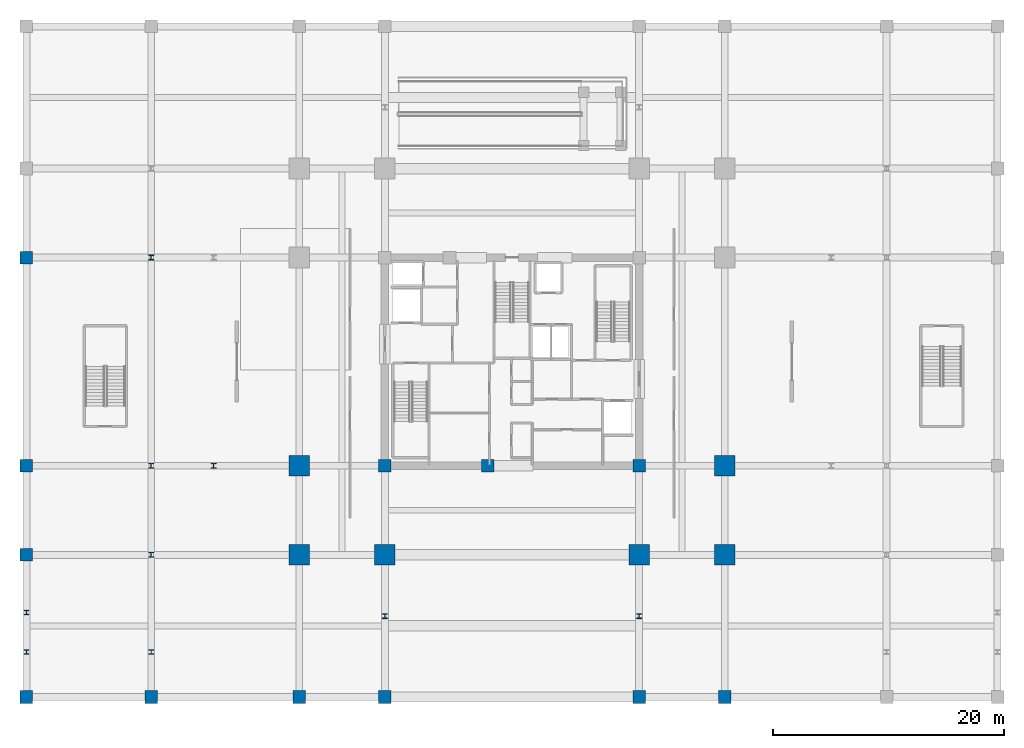
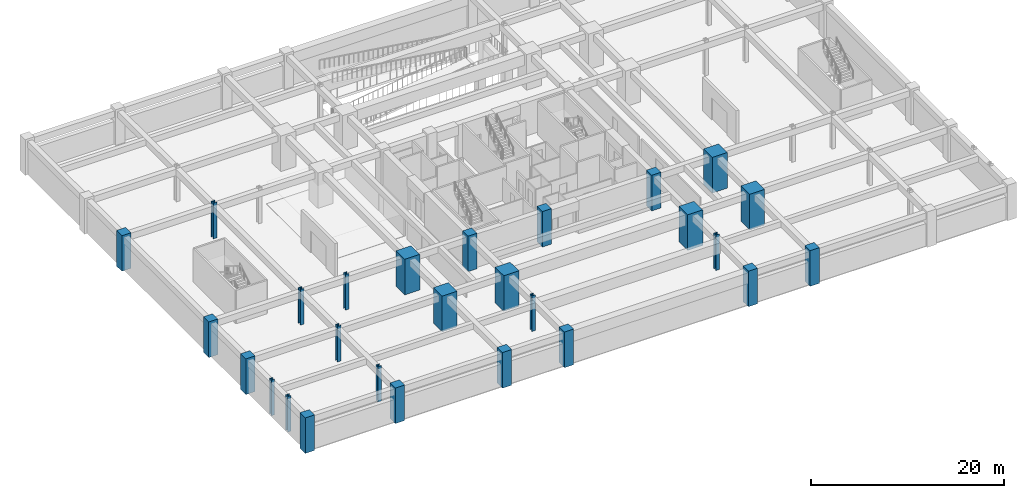
# One storey, part 1 of 16: 27 columns.
"""IFC4 building model written with IfcOpenShell, lengths in metres."""

import ifcopenshell
import ifcopenshell.guid

model = None  # the IFC model being written
_history = None  # IfcOwnerHistory: only IFC2X3 demands one
_inside = {}  # id of a spatial element -> (the spatial element, [elements in it])
_under = {}  # id of a project, library or spatial element -> (it, [spatial elements below it])
_declared = {}  # id of a project -> (the project, [libraries it declares])
_typed = {}  # id of a type object -> (the type object, [elements of that type])
_made_of = {}  # id of a material, layer set ... -> (it, [elements and type objects made of it])


def new_model(schema):
    """Start an empty IFC model of exactly this schema.

    Asked for "IFC4X3", IfcOpenShell would pick the latest addendum, in which some entities
    have other attributes; the version numbers below select the first issue.
    IFC2X3 requires an IfcOwnerHistory on every rooted entity: one is made here for all.
    """
    global model, _history
    if schema == "IFC4X3":
        model = ifcopenshell.file(schema_version=(4, 3, 0, 0))
    else:
        model = ifcopenshell.file(schema=schema)
    _inside.clear()
    _under.clear()
    _declared.clear()
    _typed.clear()
    _made_of.clear()
    _history = None
    if model.schema == "IFC2X3":
        org = make("IfcOrganization", Name="unknown")
        user = make(
            "IfcPersonAndOrganization",
            ThePerson=make("IfcPerson", FamilyName="unknown"),
            TheOrganization=org,
        )
        app = make(
            "IfcApplication",
            ApplicationDeveloper=org,
            Version="unknown",
            ApplicationFullName="unknown",
            ApplicationIdentifier="unknown",
        )
        _history = make(
            "IfcOwnerHistory",
            OwningUser=user,
            OwningApplication=app,
            ChangeAction="ADDED",
            CreationDate=0,
        )
    return model


def make(cls, **values):
    """One entity of the class cls with the attributes given. An attribute that is None is left unset."""
    return model.create_entity(
        cls, **{name: value for name, value in values.items() if value is not None}
    )


def rooted(cls, **values):
    """An entity with a GlobalId (a new one), such as an element, a storey or a relation."""
    return make(cls, GlobalId=ifcopenshell.guid.new(), OwnerHistory=_history, **values)


def si_unit(unit_type, name, prefix=None):
    """IfcSIUnit, for example si_unit("LENGTHUNIT", "METRE", prefix="MILLI")."""
    return make("IfcSIUnit", UnitType=unit_type, Prefix=prefix, Name=name)


def assignment(units):
    """IfcUnitAssignment: the units of a project."""
    return None if units is None else make("IfcUnitAssignment", Units=units)


def point(xyz):
    """IfcCartesianPoint."""
    return None if xyz is None else make("IfcCartesianPoint", Coordinates=xyz)


def direction(xyz):
    """IfcDirection."""
    return None if xyz is None else make("IfcDirection", DirectionRatios=xyz)


def frame(location, z_axis=None, x_axis=None):
    """IfcAxis2Placement3D, a coordinate frame: its origin and axes. An axis left out is left unset."""
    return make(
        "IfcAxis2Placement3D",
        Location=point(location),
        Axis=direction(z_axis),
        RefDirection=direction(x_axis),
    )


def frame_2d(location, x_axis=None):
    """IfcAxis2Placement2D, a coordinate frame in the plane: its origin and x axis."""
    return make(
        "IfcAxis2Placement2D", Location=point(location), RefDirection=direction(x_axis)
    )


def origin():
    """The frame at (0, 0, 0) with its axes left unset."""
    return frame((0.0, 0.0, 0.0))


def origin_2d():
    """The frame at (0, 0) in the plane with its x axis left unset."""
    return frame_2d((0.0, 0.0))


def place(relative_to, where):
    """IfcLocalPlacement: puts the frame where relative to a parent placement (None: the world)."""
    return make(
        "IfcLocalPlacement", PlacementRelTo=relative_to, RelativePlacement=where
    )


def context(
    kind, dimensions, precision=None, world=None, true_north=None, identifier=None
):
    """IfcGeometricRepresentationContext, for example the 3D "Model" context."""
    return make(
        "IfcGeometricRepresentationContext",
        ContextIdentifier=identifier,
        ContextType=kind,
        CoordinateSpaceDimension=dimensions,
        Precision=precision,
        WorldCoordinateSystem=world,
        TrueNorth=true_north,
    )


def subcontext(parent, identifier, kind, view, scale=None):
    """IfcGeometricRepresentationSubContext, for example "Body" below "Model"."""
    return make(
        "IfcGeometricRepresentationSubContext",
        ContextIdentifier=identifier,
        ContextType=kind,
        ParentContext=parent,
        TargetScale=scale,
        TargetView=view,
    )


def project(units=None, contexts=None):
    """IfcProject with its units and contexts."""
    return rooted(
        "IfcProject",
        Name="project",
        RepresentationContexts=contexts,
        UnitsInContext=assignment(units),
    )


def spatial(cls, under=None, at=None, **own):
    """A site, building, storey or space (cls), placed at a placement, below another one or the project."""
    s = rooted(cls, ObjectPlacement=at, **own)
    if under is not None:
        _under.setdefault(under.id(), (under, []))[1].append(s)
    return s


def profile(cls, at=None, kind="AREA", **sizes):
    """A parametric profile (cls). Its sizes go by their IFC names, for example OverallWidth=200.0."""
    return make(cls, ProfileType=kind, Position=at, **sizes)


def rectangle(**sizes):
    """IfcRectangleProfileDef."""
    return profile("IfcRectangleProfileDef", **sizes)


def i_section(**sizes):
    """IfcIShapeProfileDef."""
    return profile("IfcIShapeProfileDef", **sizes)


def extrude(swept, where, along, depth):
    """IfcExtrudedAreaSolid: the profile swept, set in the frame where, extruded along a direction by depth."""
    return make(
        "IfcExtrudedAreaSolid",
        SweptArea=swept,
        Position=where,
        ExtrudedDirection=direction(along),
        Depth=depth,
    )


def shape(context_of_items, identifier, shape_type, items):
    """IfcShapeRepresentation: the items that make up one representation, for example the "Body"."""
    return make(
        "IfcShapeRepresentation",
        ContextOfItems=context_of_items,
        RepresentationIdentifier=identifier,
        RepresentationType=shape_type,
        Items=items,
    )


def material(Name=None, Category=None):
    """IfcMaterial."""
    return make("IfcMaterial", Name=Name, Category=Category)


def material_profile(
    of_material, cross_section, Name=None, Category=None, Priority=None
):
    """IfcMaterialProfile: a cross section and its material."""
    return make(
        "IfcMaterialProfile",
        Name=Name,
        Material=of_material,
        Profile=cross_section,
        Priority=Priority,
        Category=Category,
    )


def profile_set(profiles, Name=None, composite=None):
    """IfcMaterialProfileSet."""
    return make(
        "IfcMaterialProfileSet",
        Name=Name,
        MaterialProfiles=profiles,
        CompositeProfile=composite,
    )


def made_of(thing, what):
    """Note that an element or type object is made of a material, layer set ...; save() writes the relation."""
    if what is not None:
        _made_of.setdefault(what.id(), (what, []))[1].append(thing)
    return thing


def type_object(cls, material=None, **own):
    """A type object (cls), such as IfcWallType, which elements share."""
    return made_of(rooted(cls, **own), material)


def element(
    cls,
    number,
    at=None,
    inside=None,
    cuts=None,
    type_object=None,
    material=None,
    context=None,
    identifier="Body",
    shape_type=None,
    held_by="IfcProductDefinitionShape",
    body=None,
    shapes=None,
    **own,
):
    """One element of the class cls, such as IfcWall. Its Tag is "e" and its number.

    at: its placement. inside: the storey or other place that contains it. cuts: it is an
    opening in that element (IfcRelVoidsElement). A single representation is given by context,
    identifier, shape_type and body (its items); several are given by shapes. held_by: the class
    of the entity that holds the representations. save() writes the other relations.
    """
    e = rooted(cls, Tag="e%d" % number, ObjectPlacement=at, **own)
    if body is not None:
        shapes = [shape(context, identifier, shape_type, body)]
    if shapes is not None:
        e.Representation = make(held_by, Representations=shapes)
    if inside is not None:
        _inside.setdefault(inside.id(), (inside, []))[1].append(e)
    if cuts is not None:
        rooted(
            "IfcRelVoidsElement", RelatingBuildingElement=cuts, RelatedOpeningElement=e
        )
    if type_object is not None:
        _typed.setdefault(type_object.id(), (type_object, []))[1].append(e)
    return made_of(e, material)


def aggregate(whole, parts):
    """IfcRelAggregates: a whole, such as a stair, and the parts it consists of."""
    return rooted("IfcRelAggregates", RelatingObject=whole, RelatedObjects=parts)


def save(model, path):
    """Write the relations noted so far, then the file.

    IfcRelAggregates (storeys below a building ...), IfcRelContainedInSpatialStructure (elements
    in a storey), IfcRelDefinesByType, IfcRelAssociatesMaterial and IfcRelDeclares: one each for
    every whole, place, type object, material and project.
    """
    for whole, parts in _under.values():
        aggregate(whole, parts)
    for where, things in _inside.values():
        rooted(
            "IfcRelContainedInSpatialStructure",
            RelatedElements=things,
            RelatingStructure=where,
        )
    for kind, things in _typed.values():
        rooted("IfcRelDefinesByType", RelatedObjects=things, RelatingType=kind)
    for what, things in _made_of.values():
        rooted("IfcRelAssociatesMaterial", RelatedObjects=things, RelatingMaterial=what)
    for by, libraries in _declared.values():
        rooted("IfcRelDeclares", RelatingContext=by, RelatedDefinitions=libraries)
    model.write(path)


model = new_model("IFC4")

# Units and contexts
model_context = context("Model", 3, precision=1e-05, world=origin(), true_north=direction((0.0, 1.0)))
body_context = subcontext(model_context, "Body", "Model", "MODEL_VIEW")
ifc_project = project(units=[si_unit("LENGTHUNIT", "METRE"), si_unit("AREAUNIT", "SQUARE_METRE"), si_unit("VOLUMEUNIT", "CUBIC_METRE"), si_unit("PLANEANGLEUNIT", "RADIAN"), si_unit("MASSUNIT", "GRAM", prefix="KILO")], contexts=[model_context])

# Site, building, storey
site_placement = place(None, origin())
site = spatial("IfcSite", under=ifc_project, at=site_placement, CompositionType="ELEMENT")
building_placement = place(site_placement, origin())
building = spatial("IfcBuilding", under=site, at=building_placement, Name="Kovane Verandah Tower", CompositionType="ELEMENT")
storey_placement = place(building_placement, frame((0.0, 0.0, -4.5)))
storey = spatial("IfcBuildingStorey", under=building, at=storey_placement, Name="B1", CompositionType="ELEMENT", Elevation=-4.5)

# Columns
ifc_material_1 = material(Name="Concrete C60/75", Category="concrete")
ifc_material_profile_1 = material_profile(ifc_material_1, rectangle(XDim=1.10009765625, YDim=1.10009765625, at=origin_2d()), Name="RC1100x1100")
ifc_profile_set_1 = profile_set([ifc_material_profile_1], Name="Concrete C60/75")
column_type_1 = type_object("IfcColumnType", Name="COL-POD1100", PredefinedType="COLUMN", material=ifc_profile_set_1)
for number, where, z_axis, x_axis, name in (
    (1, (-2.0, -1.5, 0.0), (0.0, 0.0, 1.0), (1.0, 0.0, 0.0), "B1 Podium Column PC-W0"),
    (2, (-2.0, 10.800048828125, 0.0), (0.0, 0.0, 1.0), (1.0, 0.0, 0.0), "B1 Podium Column PC-W1"),
    (3, (-2.0, 18.5, 0.0), (0.0, 0.0, 1.0), (1.0, 0.0, 0.0), "B1 Podium Column PC-W2"),
    (4, (-2.0, 36.5, 0.0), (0.0, 0.0, 1.0), (1.0, 0.0, 0.0), "B1 Podium Column PC-W3"),
    (5, (8.800048828125, -1.5, 0.0), (0.0, 0.0, 1.0), (1.0, 0.0, 0.0), "B1 Podium Column PC-S1"),
    (6, (21.60009765625, -1.5, 0.0), (0.0, 0.0, 1.0), (1.0, 0.0, 0.0), "B1 Podium Column PC-S2"),
    (7, (29.0, -1.5, 0.0), (0.0, 0.0, 1.0), (1.0, 0.0, 0.0), "B1 Podium Column PC-S3"),
    (8, (51.0, -1.5, 0.0), (0.0, 0.0, 1.0), (1.0, 0.0, 0.0), "B1 Podium Column PC-S4"),
    (9, (58.39990234375, -1.5, 0.0), (0.0, 0.0, 1.0), (1.0, 0.0, 0.0), "B1 Podium Column PC-S5"),
):
    element("IfcColumn", number, at=place(storey_placement, frame(where, z_axis=z_axis, x_axis=x_axis)), inside=storey, type_object=column_type_1, Name=name, PredefinedType="COLUMN", context=body_context, shape_type="SweptSolid", body=[
        extrude(rectangle(XDim=1.10009765625, YDim=1.10009765625, at=origin_2d()), origin(), (0.0, 0.0, 1.0), 4.5),
    ])
ifc_material_2 = material(Name="Concrete C80/95", Category="concrete")
ifc_material_profile_2 = material_profile(ifc_material_2, rectangle(XDim=1.800048828125, YDim=1.800048828125, at=origin_2d()), Name="RC1800x1800")
ifc_profile_set_2 = profile_set([ifc_material_profile_2], Name="Concrete C80/95")
column_type_2 = type_object("IfcColumnType", Name="COL-RC1800", PredefinedType="COLUMN", material=ifc_profile_set_2)
for number, where, z_axis, x_axis, name in (
    (10, (29.0, 10.800048828125, 0.0), (0.0, 0.0, 1.0), (1.0, 0.0, 0.0), "B1 Tower Mega-Column MC-S1"),
    (11, (51.0, 10.800048828125, 0.0), (0.0, 0.0, 1.0), (1.0, 0.0, 0.0), "B1 Tower Mega-Column MC-S2"),
    (12, (21.60009765625, 18.5, 0.0), (0.0, 0.0, 1.0), (1.0, 0.0, 0.0), "B1 Tower Mega-Column MC-W1"),
    (13, (58.39990234375, 18.5, 0.0), (0.0, 0.0, 1.0), (1.0, 0.0, 0.0), "B1 Tower Mega-Column MC-E1"),
    (14, (21.60009765625, 10.800048828125, 0.0), (0.0, 0.0, 1.0), (1.0, 0.0, 0.0), "B1 Tower Mega-Column MC-SW"),
    (15, (58.39990234375, 10.800048828125, 0.0), (0.0, 0.0, 1.0), (1.0, 0.0, 0.0), "B1 Tower Mega-Column MC-SE"),
):
    element("IfcColumn", number, at=place(storey_placement, frame(where, z_axis=z_axis, x_axis=x_axis)), inside=storey, type_object=column_type_2, Name=name, PredefinedType="COLUMN", context=body_context, shape_type="SweptSolid", body=[
        extrude(rectangle(XDim=1.800048828125, YDim=1.800048828125, at=origin_2d()), origin(), (0.0, 0.0, 1.0), 4.5),
    ])
ifc_material_3 = material(Name="Steel S460", Category="steel")
ifc_material_profile_3 = material_profile(ifc_material_3, i_section(OverallWidth=0.403076171875, OverallDepth=0.406494140625, WebThickness=0.026611328125, FlangeThickness=0.04296875, FilletRadius=0.01513671875, at=origin_2d()), Name="UC356x406x340")
ifc_profile_set_3 = profile_set([ifc_material_profile_3], Name="Steel S460")
column_type_3 = type_object("IfcColumnType", Name="COL-UC340", PredefinedType="COLUMN", material=ifc_profile_set_3)
for number, where, z_axis, x_axis, name in (
    (16, (-2.0, 2.39990234375, 0.0), (0.0, 0.0, 1.0), (1.0, 0.0, 0.0), "B1 South Terrace Step Column S1-1"),
    (17, (8.800048828125, 2.39990234375, 0.0), (0.0, 0.0, 1.0), (1.0, 0.0, 0.0), "B1 South Terrace Step Column S1-2"),
    (18, (-2.0, 5.800048828125, 0.0), (0.0, 0.0, 1.0), (1.0, 0.0, 0.0), "B1 South Terrace Step Column S2-1"),
):
    element("IfcColumn", number, at=place(storey_placement, frame(where, z_axis=z_axis, x_axis=x_axis)), inside=storey, type_object=column_type_3, Name=name, PredefinedType="COLUMN", context=body_context, shape_type="SweptSolid", body=[
        extrude(i_section(OverallWidth=0.403076171875, OverallDepth=0.406494140625, WebThickness=0.026611328125, FlangeThickness=0.04296875, FilletRadius=0.01513671875, at=origin_2d()), origin(), (0.0, 0.0, 1.0), 4.5),
    ])
ifc_material_profile_4 = material_profile(ifc_material_3, i_section(OverallWidth=0.412109375, OverallDepth=0.4365234375, WebThickness=0.035888671875, FlangeThickness=0.05810546875, FilletRadius=0.01513671875, at=origin_2d()), Name="UC356x406x467")
ifc_profile_set_4 = profile_set([ifc_material_profile_4], Name="Steel S460")
column_type_4 = type_object("IfcColumnType", Name="COL-UC467", PredefinedType="COLUMN", material=ifc_profile_set_4)
for number, where, z_axis, x_axis, name in (
    (19, (14.199951171875, 18.5, 0.0), (0.0, 0.0, 1.0), (1.0, 0.0, 0.0), "B1 Verandah Perimeter Column VC-W1"),
    (20, (29.0, 5.5, 0.0), (0.0, 0.0, 1.0), (1.0, 0.0, 0.0), "B1 Verandah Perimeter Column VC-S1"),
    (21, (51.0, 5.5, 0.0), (0.0, 0.0, 1.0), (1.0, 0.0, 0.0), "B1 Verandah Perimeter Column VC-S2"),
):
    element("IfcColumn", number, at=place(storey_placement, frame(where, z_axis=z_axis, x_axis=x_axis)), inside=storey, type_object=column_type_4, Name=name, PredefinedType="COLUMN", context=body_context, shape_type="SweptSolid", body=[
        extrude(i_section(OverallWidth=0.412109375, OverallDepth=0.4365234375, WebThickness=0.035888671875, FlangeThickness=0.05810546875, FilletRadius=0.01513671875, at=origin_2d()), origin(), (0.0, 0.0, 1.0), 4.5),
    ])
ifc_material_4 = material(Name="Steel S355", Category="steel")
ifc_material_profile_5 = material_profile(ifc_material_4, i_section(OverallWidth=0.41845703125, OverallDepth=0.45556640625, WebThickness=0.0419921875, FlangeThickness=0.0673828125, FilletRadius=0.01513671875, at=origin_2d()), Name="UC356x406x551")
ifc_profile_set_5 = profile_set([ifc_material_profile_5], Name="Steel S355")
column_type_5 = type_object("IfcColumnType", Name="COL-UC551", PredefinedType="COLUMN", material=ifc_profile_set_5)
for number, where, z_axis, x_axis, name in (
    (22, (8.800048828125, 10.800048828125, 0.0), (0.0, 0.0, 1.0), (1.0, 0.0, 0.0), "B1 Podium Column PC-MW1"),
    (23, (8.800048828125, 18.5, 0.0), (0.0, 0.0, 1.0), (1.0, 0.0, 0.0), "B1 Podium Column PC-MW2"),
    (24, (8.800048828125, 36.5, 0.0), (0.0, 0.0, 1.0), (1.0, 0.0, 0.0), "B1 Podium Column PC-MW3"),
):
    element("IfcColumn", number, at=place(storey_placement, frame(where, z_axis=z_axis, x_axis=x_axis)), inside=storey, type_object=column_type_5, Name=name, PredefinedType="COLUMN", context=body_context, shape_type="SweptSolid", body=[
        extrude(i_section(OverallWidth=0.41845703125, OverallDepth=0.45556640625, WebThickness=0.0419921875, FlangeThickness=0.0673828125, FilletRadius=0.01513671875, at=origin_2d()), origin(), (0.0, 0.0, 1.0), 4.5),
    ])
ifc_material_profile_6 = material_profile(ifc_material_2, rectangle(XDim=1.10009765625, YDim=1.10009765625, at=origin_2d()), Name="RC1100x1100")
ifc_profile_set_6 = profile_set([ifc_material_profile_6], Name="Concrete C80/95")
column_type_6 = type_object("IfcColumnType", Name="PIL-RC1100", PredefinedType="PILASTER", material=ifc_profile_set_6)
for number, where, z_axis, x_axis, name in (
    (25, (29.0, 18.5, 0.0), (0.0, 0.0, 1.0), (1.0, 0.0, 0.0), "B1 Core Pilaster CP-SW"),
    (26, (51.0, 18.5, 0.0), (0.0, 0.0, 1.0), (1.0, 0.0, 0.0), "B1 Core Pilaster CP-SE"),
    (27, (37.89990234375, 18.5, 0.0), (0.0, 0.0, 1.0), (1.0, 0.0, 0.0), "B1 Core Pilaster CP-S"),
):
    element("IfcColumn", number, at=place(storey_placement, frame(where, z_axis=z_axis, x_axis=x_axis)), inside=storey, type_object=column_type_6, Name=name, PredefinedType="PILASTER", context=body_context, shape_type="SweptSolid", body=[
        extrude(rectangle(XDim=1.10009765625, YDim=1.10009765625, at=origin_2d()), origin(), (0.0, 0.0, 1.0), 4.5),
    ])

save(model, "model.ifc")
